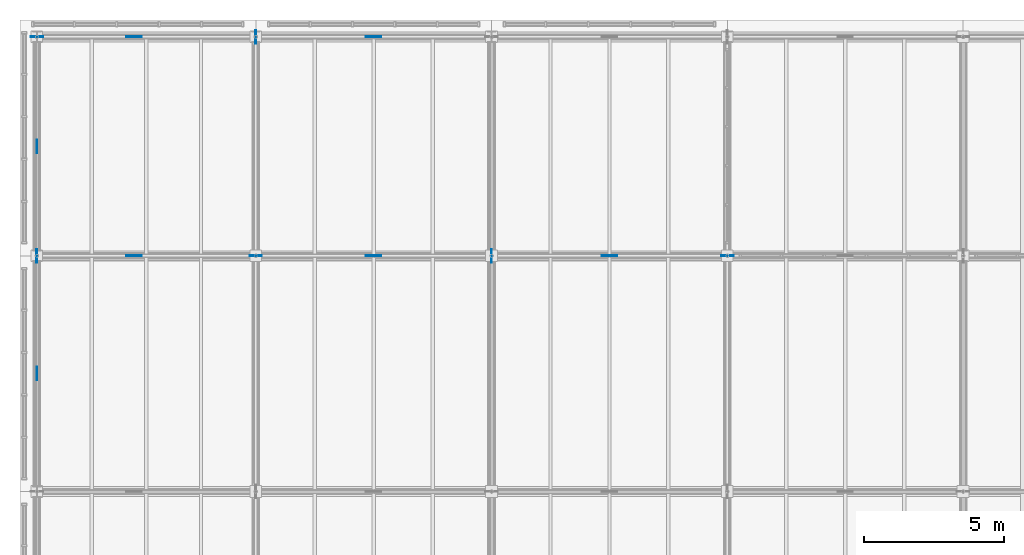
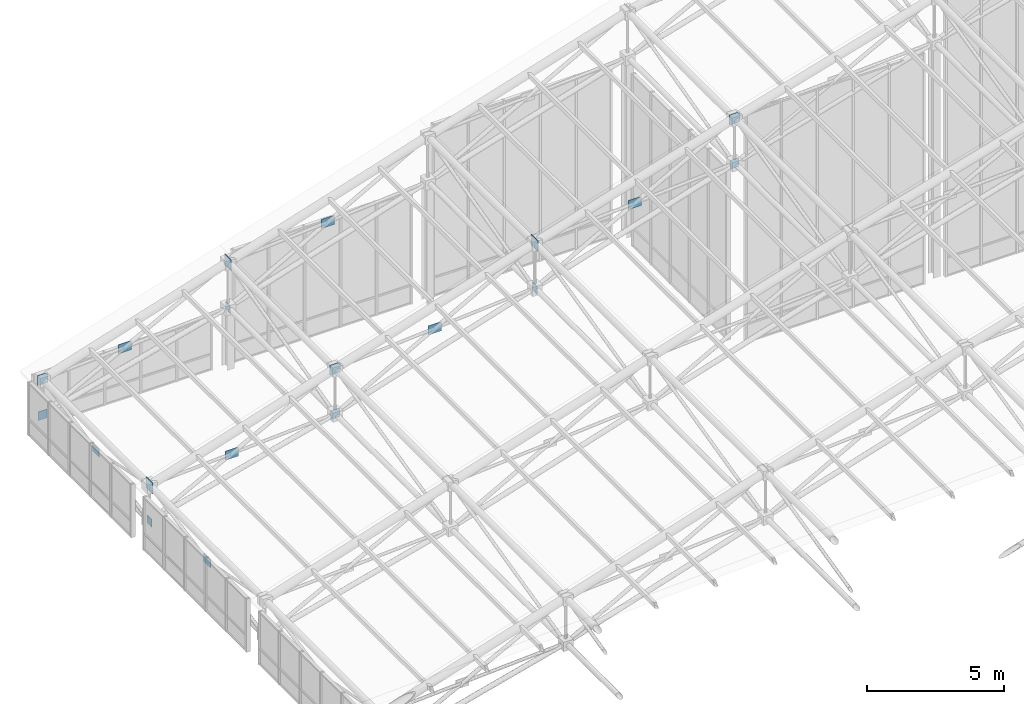
# One storey, part 124 of 144: 19 plates.
"""IFC4 building model written with IfcOpenShell, lengths in metres."""

import ifcopenshell
import ifcopenshell.guid

model = None  # the IFC model being written
_history = None  # IfcOwnerHistory: only IFC2X3 demands one
_inside = {}  # id of a spatial element -> (the spatial element, [elements in it])
_under = {}  # id of a project, library or spatial element -> (it, [spatial elements below it])
_declared = {}  # id of a project -> (the project, [libraries it declares])
_typed = {}  # id of a type object -> (the type object, [elements of that type])
_made_of = {}  # id of a material, layer set ... -> (it, [elements and type objects made of it])


def new_model(schema):
    """Start an empty IFC model of exactly this schema.

    Asked for "IFC4X3", IfcOpenShell would pick the latest addendum, in which some entities
    have other attributes; the version numbers below select the first issue.
    IFC2X3 requires an IfcOwnerHistory on every rooted entity: one is made here for all.
    """
    global model, _history
    if schema == "IFC4X3":
        model = ifcopenshell.file(schema_version=(4, 3, 0, 0))
    else:
        model = ifcopenshell.file(schema=schema)
    _inside.clear()
    _under.clear()
    _declared.clear()
    _typed.clear()
    _made_of.clear()
    _history = None
    if model.schema == "IFC2X3":
        org = make("IfcOrganization", Name="unknown")
        user = make(
            "IfcPersonAndOrganization",
            ThePerson=make("IfcPerson", FamilyName="unknown"),
            TheOrganization=org,
        )
        app = make(
            "IfcApplication",
            ApplicationDeveloper=org,
            Version="unknown",
            ApplicationFullName="unknown",
            ApplicationIdentifier="unknown",
        )
        _history = make(
            "IfcOwnerHistory",
            OwningUser=user,
            OwningApplication=app,
            ChangeAction="ADDED",
            CreationDate=0,
        )
    return model


def make(cls, **values):
    """One entity of the class cls with the attributes given. An attribute that is None is left unset."""
    return model.create_entity(
        cls, **{name: value for name, value in values.items() if value is not None}
    )


def rooted(cls, **values):
    """An entity with a GlobalId (a new one), such as an element, a storey or a relation."""
    return make(cls, GlobalId=ifcopenshell.guid.new(), OwnerHistory=_history, **values)


def si_unit(unit_type, name, prefix=None):
    """IfcSIUnit, for example si_unit("LENGTHUNIT", "METRE", prefix="MILLI")."""
    return make("IfcSIUnit", UnitType=unit_type, Prefix=prefix, Name=name)


def assignment(units):
    """IfcUnitAssignment: the units of a project."""
    return None if units is None else make("IfcUnitAssignment", Units=units)


def point(xyz):
    """IfcCartesianPoint."""
    return None if xyz is None else make("IfcCartesianPoint", Coordinates=xyz)


def direction(xyz):
    """IfcDirection."""
    return None if xyz is None else make("IfcDirection", DirectionRatios=xyz)


def frame(location, z_axis=None, x_axis=None):
    """IfcAxis2Placement3D, a coordinate frame: its origin and axes. An axis left out is left unset."""
    return make(
        "IfcAxis2Placement3D",
        Location=point(location),
        Axis=direction(z_axis),
        RefDirection=direction(x_axis),
    )


def frame_2d(location, x_axis=None):
    """IfcAxis2Placement2D, a coordinate frame in the plane: its origin and x axis."""
    return make(
        "IfcAxis2Placement2D", Location=point(location), RefDirection=direction(x_axis)
    )


def origin():
    """The frame at (0, 0, 0) with its axes left unset."""
    return frame((0.0, 0.0, 0.0))


def origin_2d():
    """The frame at (0, 0) in the plane with its x axis left unset."""
    return frame_2d((0.0, 0.0))


def place(relative_to, where):
    """IfcLocalPlacement: puts the frame where relative to a parent placement (None: the world)."""
    return make(
        "IfcLocalPlacement", PlacementRelTo=relative_to, RelativePlacement=where
    )


def context(
    kind, dimensions, precision=None, world=None, true_north=None, identifier=None
):
    """IfcGeometricRepresentationContext, for example the 3D "Model" context."""
    return make(
        "IfcGeometricRepresentationContext",
        ContextIdentifier=identifier,
        ContextType=kind,
        CoordinateSpaceDimension=dimensions,
        Precision=precision,
        WorldCoordinateSystem=world,
        TrueNorth=true_north,
    )


def subcontext(parent, identifier, kind, view, scale=None):
    """IfcGeometricRepresentationSubContext, for example "Body" below "Model"."""
    return make(
        "IfcGeometricRepresentationSubContext",
        ContextIdentifier=identifier,
        ContextType=kind,
        ParentContext=parent,
        TargetScale=scale,
        TargetView=view,
    )


def project(units=None, contexts=None):
    """IfcProject with its units and contexts."""
    return rooted(
        "IfcProject",
        Name="project",
        RepresentationContexts=contexts,
        UnitsInContext=assignment(units),
    )


def spatial(cls, under=None, at=None, **own):
    """A site, building, storey or space (cls), placed at a placement, below another one or the project."""
    s = rooted(cls, ObjectPlacement=at, **own)
    if under is not None:
        _under.setdefault(under.id(), (under, []))[1].append(s)
    return s


def profile(cls, at=None, kind="AREA", **sizes):
    """A parametric profile (cls). Its sizes go by their IFC names, for example OverallWidth=200.0."""
    return make(cls, ProfileType=kind, Position=at, **sizes)


def rectangle(**sizes):
    """IfcRectangleProfileDef."""
    return profile("IfcRectangleProfileDef", **sizes)


def extrude(swept, where, along, depth):
    """IfcExtrudedAreaSolid: the profile swept, set in the frame where, extruded along a direction by depth."""
    return make(
        "IfcExtrudedAreaSolid",
        SweptArea=swept,
        Position=where,
        ExtrudedDirection=direction(along),
        Depth=depth,
    )


def shape(context_of_items, identifier, shape_type, items):
    """IfcShapeRepresentation: the items that make up one representation, for example the "Body"."""
    return make(
        "IfcShapeRepresentation",
        ContextOfItems=context_of_items,
        RepresentationIdentifier=identifier,
        RepresentationType=shape_type,
        Items=items,
    )


def material(Name=None, Category=None):
    """IfcMaterial."""
    return make("IfcMaterial", Name=Name, Category=Category)


def layer(
    of_material, thickness, ventilated=None, Name=None, Category=None, Priority=None
):
    """IfcMaterialLayer: one layer of a wall or slab, of a material (None: an air gap)."""
    return make(
        "IfcMaterialLayer",
        Material=of_material,
        LayerThickness=thickness,
        IsVentilated=ventilated,
        Name=Name,
        Category=Category,
        Priority=Priority,
    )


def layer_set(layers, Name=None):
    """IfcMaterialLayerSet."""
    return make("IfcMaterialLayerSet", MaterialLayers=layers, LayerSetName=Name)


def made_of(thing, what):
    """Note that an element or type object is made of a material, layer set ...; save() writes the relation."""
    if what is not None:
        _made_of.setdefault(what.id(), (what, []))[1].append(thing)
    return thing


def type_object(cls, material=None, **own):
    """A type object (cls), such as IfcWallType, which elements share."""
    return made_of(rooted(cls, **own), material)


def element(
    cls,
    number,
    at=None,
    inside=None,
    cuts=None,
    type_object=None,
    material=None,
    context=None,
    identifier="Body",
    shape_type=None,
    held_by="IfcProductDefinitionShape",
    body=None,
    shapes=None,
    **own,
):
    """One element of the class cls, such as IfcWall. Its Tag is "e" and its number.

    at: its placement. inside: the storey or other place that contains it. cuts: it is an
    opening in that element (IfcRelVoidsElement). A single representation is given by context,
    identifier, shape_type and body (its items); several are given by shapes. held_by: the class
    of the entity that holds the representations. save() writes the other relations.
    """
    e = rooted(cls, Tag="e%d" % number, ObjectPlacement=at, **own)
    if body is not None:
        shapes = [shape(context, identifier, shape_type, body)]
    if shapes is not None:
        e.Representation = make(held_by, Representations=shapes)
    if inside is not None:
        _inside.setdefault(inside.id(), (inside, []))[1].append(e)
    if cuts is not None:
        rooted(
            "IfcRelVoidsElement", RelatingBuildingElement=cuts, RelatedOpeningElement=e
        )
    if type_object is not None:
        _typed.setdefault(type_object.id(), (type_object, []))[1].append(e)
    return made_of(e, material)


def aggregate(whole, parts):
    """IfcRelAggregates: a whole, such as a stair, and the parts it consists of."""
    return rooted("IfcRelAggregates", RelatingObject=whole, RelatedObjects=parts)


def save(model, path):
    """Write the relations noted so far, then the file.

    IfcRelAggregates (storeys below a building ...), IfcRelContainedInSpatialStructure (elements
    in a storey), IfcRelDefinesByType, IfcRelAssociatesMaterial and IfcRelDeclares: one each for
    every whole, place, type object, material and project.
    """
    for whole, parts in _under.values():
        aggregate(whole, parts)
    for where, things in _inside.values():
        rooted(
            "IfcRelContainedInSpatialStructure",
            RelatedElements=things,
            RelatingStructure=where,
        )
    for kind, things in _typed.values():
        rooted("IfcRelDefinesByType", RelatedObjects=things, RelatingType=kind)
    for what, things in _made_of.values():
        rooted("IfcRelAssociatesMaterial", RelatedObjects=things, RelatingMaterial=what)
    for by, libraries in _declared.values():
        rooted("IfcRelDeclares", RelatingContext=by, RelatedDefinitions=libraries)
    model.write(path)


model = new_model("IFC4")

# Units and contexts
model_context = context("Model", 3, precision=1e-05, world=origin(), true_north=direction((0.0, 1.0)))
body_context = subcontext(model_context, "Body", "Model", "MODEL_VIEW")
ifc_project = project(units=[si_unit("LENGTHUNIT", "METRE"), si_unit("AREAUNIT", "SQUARE_METRE"), si_unit("VOLUMEUNIT", "CUBIC_METRE"), si_unit("PLANEANGLEUNIT", "RADIAN"), si_unit("MASSUNIT", "GRAM", prefix="KILO")], contexts=[model_context])

# Site, building, storey
site_placement = place(None, origin())
site = spatial("IfcSite", under=ifc_project, at=site_placement, CompositionType="ELEMENT")
building_placement = place(site_placement, origin())
building = spatial("IfcBuilding", under=site, at=building_placement, Name="Zayran Congress Hotel", CompositionType="ELEMENT")
storey_placement = place(building_placement, frame((0.0, 0.0, 19.199951171875)))
storey = spatial("IfcBuildingStorey", under=building, at=storey_placement, Name="L04", CompositionType="ELEMENT", Elevation=19.199951171875)

# Plates
ifc_material = material(Name="Steel S355", Category="steel")
ifc_layer_1 = layer(ifc_material, 0.02490234375)
ifc_layer_set_1 = layer_set([ifc_layer_1], Name="Steel S355")
plate_type_1 = type_object("IfcPlateType", Name="TP-SN-CP1", PredefinedType="USERDEFINED", material=ifc_layer_set_1)
for number, where, z_axis, x_axis, name in (
    (1, (9.0, 117.39990234375, 1.971435546875), (0.0, 0.0, 1.0), (1.0, 0.0, 0.0), "Space Frame Node Cap Plate 7"),
    (2, (16.800048828125, 109.60009765625, 4.43212890625), (0.0, 0.0, 1.0), (1.0, 0.0, 0.0), "Space Frame Node Cap Plate 13"),
    (3, (33.60009765625, 109.60009765625, 9.68212890625), (0.0, 0.0, 1.0), (1.0, 0.0, 0.0), "Space Frame Node Cap Plate 27"),
):
    element("IfcPlate", number, at=place(storey_placement, frame(where, z_axis=z_axis, x_axis=x_axis)), inside=storey, type_object=plate_type_1, Name=name, ObjectType="GUSSET_PLATE", PredefinedType="USERDEFINED", context=body_context, shape_type="SweptSolid", body=[
        extrude(rectangle(XDim=0.43994140625, YDim=0.02490234375, at=origin_2d()), origin(), (0.0, 0.0, 1.0), 0.43994140625),
    ])
ifc_layer_2 = layer(ifc_material, 0.02490234375)
ifc_layer_set_2 = layer_set([ifc_layer_2], Name="Steel S355")
plate_type_2 = type_object("IfcPlateType", Name="TP-SN-CP2", PredefinedType="USERDEFINED", material=ifc_layer_set_2)
for number, where, z_axis, x_axis, name in (
    (4, (9.0, 117.39990234375, 0.41015625), (0.0, 0.0, 1.0), (1.0, 0.0, 0.0), "Space Frame Node Cap Plate 84"),
    (5, (16.800048828125, 109.60009765625, 2.460205078125), (0.0, 0.0, 1.0), (1.0, 0.0, 0.0), "Space Frame Node Cap Plate 90"),
    (6, (33.60009765625, 109.60009765625, 7.710205078125), (0.0, 0.0, 1.0), (1.0, 0.0, 0.0), "Space Frame Node Cap Plate 104"),
):
    element("IfcPlate", number, at=place(storey_placement, frame(where, z_axis=z_axis, x_axis=x_axis)), inside=storey, type_object=plate_type_2, Name=name, ObjectType="GUSSET_PLATE", PredefinedType="USERDEFINED", context=body_context, shape_type="SweptSolid", body=[
        extrude(rectangle(XDim=0.3798828125, YDim=0.02490234375, at=origin_2d()), origin(), (0.0, 0.0, 1.0), 0.3798828125),
    ])
ifc_layer_3 = layer(ifc_material, 0.02001953125)
ifc_layer_set_3 = layer_set([ifc_layer_3], Name="Steel S355")
plate_type_3 = type_object("IfcPlateType", Name="TP-SN-CP3", PredefinedType="USERDEFINED", material=ifc_layer_set_3)
for number, where, z_axis, x_axis, name in (
    (7, (9.0, 109.60009765625, 0.43017578125), (0.0, 0.0, 1.0), (0.0, 1.0, 0.0), "Space Frame Node Cap Plate 83"),
    (8, (16.800048828125, 117.39990234375, 2.47998046875), (0.0, 0.0, 1.0), (0.0, 1.0, 0.0), "Space Frame Node Cap Plate 91"),
    (9, (25.199951171875, 109.60009765625, 5.1298828125), (0.0, 0.0, 1.0), (0.0, 1.0, 0.0), "Space Frame Node Cap Plate 97"),
):
    element("IfcPlate", number, at=place(storey_placement, frame(where, z_axis=z_axis, x_axis=x_axis)), inside=storey, type_object=plate_type_3, Name=name, ObjectType="GUSSET_PLATE", PredefinedType="USERDEFINED", context=body_context, shape_type="SweptSolid", body=[
        extrude(rectangle(XDim=0.340087890625, YDim=0.02001953125, at=origin_2d()), origin(), (0.0, 0.0, 1.0), 0.340087890625),
    ])
ifc_layer_4 = layer(ifc_material, 0.028076171875)
ifc_layer_set_4 = layer_set([ifc_layer_4], Name="Steel S355")
plate_type_4 = type_object("IfcPlateType", Name="TP-SN-CP4", PredefinedType="USERDEFINED", material=ifc_layer_set_4)
for number, where, z_axis, x_axis, name in (
    (10, (9.0, 109.60009765625, 1.951416015625), (0.0, 0.0, 1.0), (0.0, 1.0, 0.0), "Space Frame Node Cap Plate 6"),
    (11, (16.800048828125, 117.39990234375, 4.412109375), (0.0, 0.0, 1.0), (0.0, 1.0, 0.0), "Space Frame Node Cap Plate 14"),
    (12, (25.199951171875, 109.60009765625, 7.06201171875), (0.0, 0.0, 1.0), (0.0, 1.0, 0.0), "Space Frame Node Cap Plate 20"),
):
    element("IfcPlate", number, at=place(storey_placement, frame(where, z_axis=z_axis, x_axis=x_axis)), inside=storey, type_object=plate_type_4, Name=name, ObjectType="GUSSET_PLATE", PredefinedType="USERDEFINED", context=body_context, shape_type="SweptSolid", body=[
        extrude(rectangle(XDim=0.47998046875, YDim=0.028076171875, at=origin_2d()), origin(), (0.0, 0.0, 1.0), 0.47998046875),
    ])
ifc_layer_5 = layer(ifc_material, 0.02490234375)
ifc_layer_set_5 = layer_set([ifc_layer_5], Name="Steel S355")
plate_type_5 = type_object("IfcPlateType", Name="TP-GS-01", PredefinedType="USERDEFINED", material=ifc_layer_set_5)
for number, where, z_axis, x_axis, name in (
    (13, (12.4541015625, 109.60009765625, 2.194580078125), (0.0, 0.0, 1.0), (1.0, 0.0, 0.0), "V1 Brace Crossing Gusset Plate 11"),
    (14, (12.4541015625, 117.39990234375, 2.194580078125), (0.0, 0.0, 1.0), (1.0, 0.0, 0.0), "V1 Brace Crossing Gusset Plate 13"),
    (15, (21.0, 109.60009765625, 4.776123046875), (0.0, 0.0, 1.0), (1.0, 0.0, 0.0), "V1 Brace Crossing Gusset Plate 19"),
    (16, (21.0, 117.39990234375, 4.776123046875), (0.0, 0.0, 1.0), (1.0, 0.0, 0.0), "V1 Brace Crossing Gusset Plate 20"),
    (17, (29.39990234375, 109.60009765625, 7.401123046875), (0.0, 0.0, 1.0), (1.0, 0.0, 0.0), "V1 Brace Crossing Gusset Plate 26"),
):
    element("IfcPlate", number, at=place(storey_placement, frame(where, z_axis=z_axis, x_axis=x_axis)), inside=storey, type_object=plate_type_5, Name=name, ObjectType="GUSSET_PLATE", PredefinedType="USERDEFINED", context=body_context, shape_type="SweptSolid", body=[
        extrude(rectangle(XDim=0.550048828125, YDim=0.02490234375, at=origin_2d()), origin(), (0.0, 0.0, 1.0), 0.39990234375),
    ])
ifc_layer_6 = layer(ifc_material, 0.02001953125)
ifc_layer_set_6 = layer_set([ifc_layer_6], Name="Steel S355")
plate_type_6 = type_object("IfcPlateType", Name="TP-GS-02", PredefinedType="USERDEFINED", material=ifc_layer_set_6)
for number, where, z_axis, x_axis, name in (
    (18, (9.0, 105.39990234375, 1.2158203125), (0.0, 0.0, 1.0), (0.0, 1.0, 0.0), "V1 Brace Crossing Gusset Plate 10"),
    (19, (9.0, 113.5, 1.2158203125), (0.0, 0.0, 1.0), (0.0, 1.0, 0.0), "V1 Brace Crossing Gusset Plate 12"),
):
    element("IfcPlate", number, at=place(storey_placement, frame(where, z_axis=z_axis, x_axis=x_axis)), inside=storey, type_object=plate_type_6, Name=name, ObjectType="GUSSET_PLATE", PredefinedType="USERDEFINED", context=body_context, shape_type="SweptSolid", body=[
        extrude(rectangle(XDim=0.47998046875, YDim=0.02001953125, at=origin_2d()), origin(), (0.0, 0.0, 1.0), 0.360107421875),
    ])

save(model, "model.ifc")
